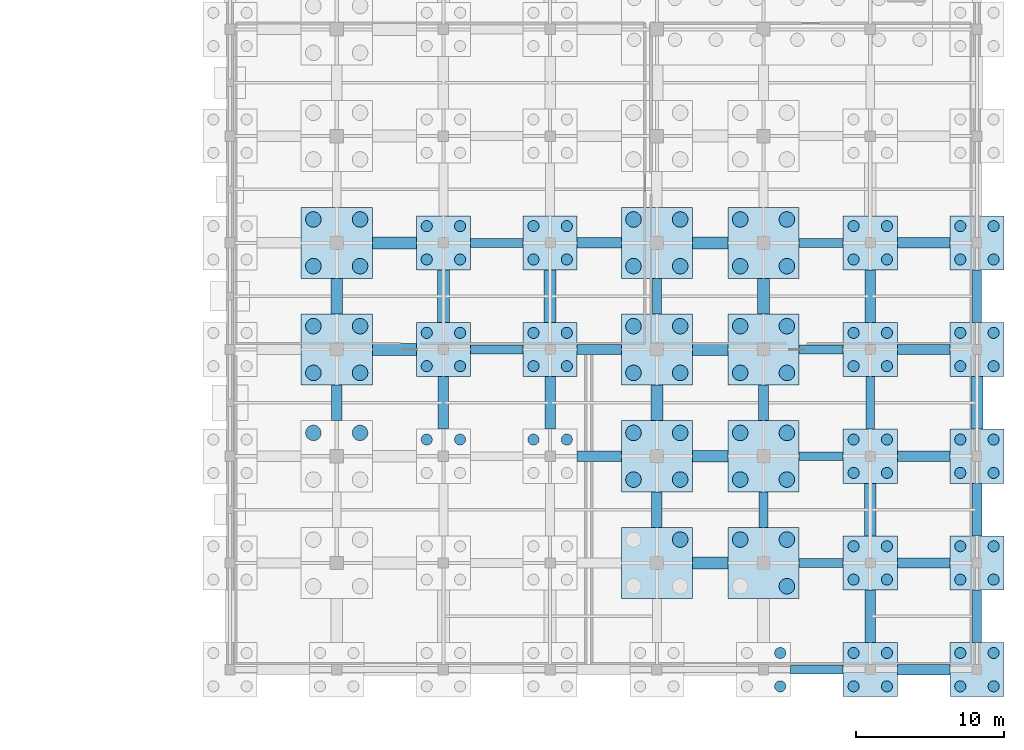
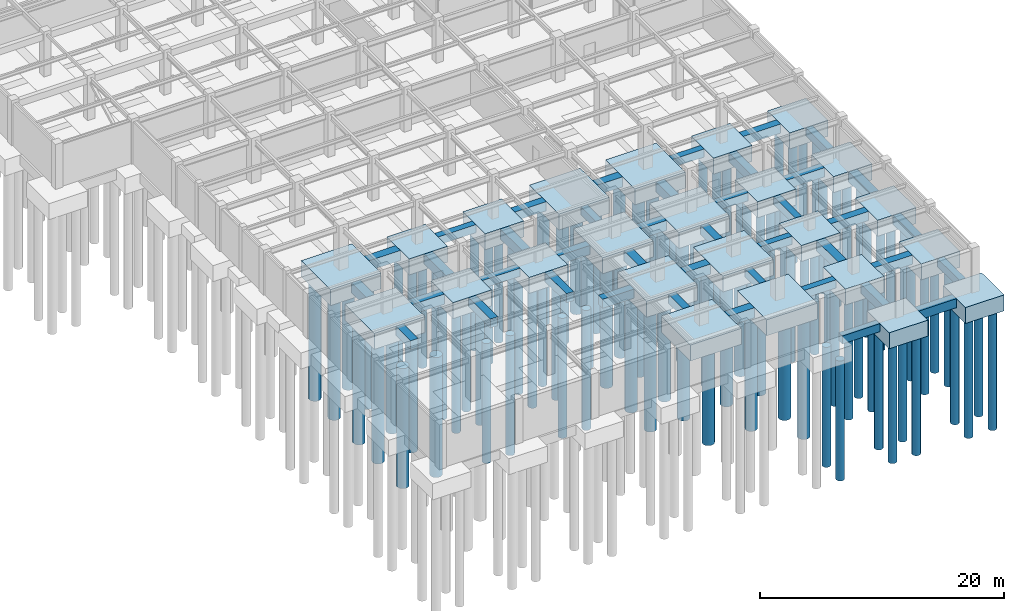
# One storey, part 9 of 48: 100 piles, 65 footings.
"""IFC4 building model written with IfcOpenShell, lengths in metres."""

from ifc_helpers import new_model, si_unit, direction, frame, origin, origin_2d, place, context, subcontext, project, spatial, rectangle, circle, extrude, material, material_profile, profile_set, type_object, element, save


model = new_model("IFC4")

# Units and contexts
model_context = context("Model", 3, precision=1e-05, world=origin(), true_north=direction((0.0, 1.0)))
body_context = subcontext(model_context, "Body", "Model", "MODEL_VIEW")
ifc_project = project(units=[si_unit("LENGTHUNIT", "METRE"), si_unit("AREAUNIT", "SQUARE_METRE"), si_unit("VOLUMEUNIT", "CUBIC_METRE"), si_unit("PLANEANGLEUNIT", "RADIAN"), si_unit("MASSUNIT", "GRAM", prefix="KILO")], contexts=[model_context])

# Site, building, storey
site_placement = place(None, origin())
site = spatial("IfcSite", under=ifc_project, at=site_placement, CompositionType="ELEMENT")
building_placement = place(site_placement, origin())
building = spatial("IfcBuilding", under=site, at=building_placement, Name="Carrowvane Square Congress Hotel", CompositionType="ELEMENT")
storey_placement = place(building_placement, frame((0.0, 0.0, -4.5)))
storey = spatial("IfcBuildingStorey", under=building, at=storey_placement, Name="B01", CompositionType="ELEMENT", Elevation=-4.5)

# Footings
ifc_material_1 = material(Name="Concrete C35/45", Category="concrete")
ifc_material_profile_1 = material_profile(ifc_material_1, rectangle(XDim=0.60009765625, YDim=0.800048828125, at=origin_2d()), Name="RC 600x800")
ifc_profile_set_1 = profile_set([ifc_material_profile_1], Name="Concrete C35/45")
footing_type_1 = type_object("IfcFootingType", Name="FTG-BM-600x800", PredefinedType="FOOTING_BEAM", material=ifc_profile_set_1)
footing_1_placement = place(storey_placement, frame((162.800048828125, 29.39990234375, -0.39990234375), z_axis=(0.0, 1.0, 0.0), x_axis=(-1.0, 0.0, 0.0)))
element("IfcFooting", 1, at=footing_1_placement, inside=storey, type_object=footing_type_1, Name="Ground tie beam 202", PredefinedType="FOOTING_BEAM", context=body_context, shape_type="SweptSolid", body=[
    extrude(rectangle(XDim=0.60009765625, YDim=0.800048828125, at=origin_2d()), origin(), (0.0, 0.0, 1.0), 2.400146484375),
])
footing_2_placement = place(storey_placement, frame((170.0, 15.0, -0.39990234375), z_axis=(0.0, 1.0, 0.0), x_axis=(-1.0, 0.0, 0.0)))
element("IfcFooting", 2, at=footing_2_placement, inside=storey, type_object=footing_type_1, Name="Ground tie beam 213", PredefinedType="FOOTING_BEAM", context=body_context, shape_type="SweptSolid", body=[
    extrude(rectangle(XDim=0.60009765625, YDim=0.800048828125, at=origin_2d()), origin(), (0.0, 0.0, 1.0), 2.39990234375),
])
footing_3_placement = place(storey_placement, frame((177.199951171875, 21.625, -0.39990234375), z_axis=(0.0, 1.0, 0.0), x_axis=(-1.0, 0.0, 0.0)))
element("IfcFooting", 3, at=footing_3_placement, inside=storey, type_object=footing_type_1, Name="Ground tie beam 224", PredefinedType="FOOTING_BEAM", context=body_context, shape_type="SweptSolid", body=[
    extrude(rectangle(XDim=0.60009765625, YDim=0.800048828125, at=origin_2d()), origin(), (0.0, 0.0, 1.0), 3.550048828125),
])
footing_4_placement = place(storey_placement, frame((184.39990234375, 7.22509765625, -0.39990234375), z_axis=(0.0, 1.0, 0.0), x_axis=(-1.0, 0.0, 0.0)))
element("IfcFooting", 4, at=footing_4_placement, inside=storey, type_object=footing_type_1, Name="Ground tie beam 232", PredefinedType="FOOTING_BEAM", context=body_context, shape_type="SweptSolid", body=[
    extrude(rectangle(XDim=0.60009765625, YDim=0.800048828125, at=origin_2d()), origin(), (0.0, 0.0, 1.0), 3.5498046875),
])
for number, where, z_axis, x_axis, name in (
    (5, (184.39990234375, 28.824951171875, -0.39990234375), (0.0, 1.0, 0.0), (-1.0, 0.0, 0.0), "Ground tie beam 235"),
    (6, (171.824951171875, 5.39990234375, -0.39990234375), (1.0, 0.0, 0.0), (0.0, 1.0, 0.0), "Ground tie beam 256"),
):
    element("IfcFooting", number, at=place(storey_placement, frame(where, z_axis=z_axis, x_axis=x_axis)), inside=storey, type_object=footing_type_1, Name=name, PredefinedType="FOOTING_BEAM", context=body_context, shape_type="SweptSolid", body=[
        extrude(rectangle(XDim=0.60009765625, YDim=0.800048828125, at=origin_2d()), origin(), (0.0, 0.0, 1.0), 3.550048828125),
    ])
for number, where, z_axis, x_axis, name in (
    (7, (172.39990234375, 12.60009765625, -0.39990234375), (1.0, 0.0, 0.0), (0.0, 1.0, 0.0), "Ground tie beam 270"),
    (8, (172.39990234375, 19.800048828125, -0.39990234375), (1.0, 0.0, 0.0), (0.0, 1.0, 0.0), "Ground tie beam 284"),
):
    element("IfcFooting", number, at=place(storey_placement, frame(where, z_axis=z_axis, x_axis=x_axis)), inside=storey, type_object=footing_type_1, Name=name, PredefinedType="FOOTING_BEAM", context=body_context, shape_type="SweptSolid", body=[
        extrude(rectangle(XDim=0.60009765625, YDim=0.800048828125, at=origin_2d()), origin(), (0.0, 0.0, 1.0), 2.97509765625),
    ])
footing_5_placement = place(storey_placement, frame((150.22509765625, 27.0, -0.39990234375), z_axis=(1.0, 0.0, 0.0), x_axis=(0.0, 1.0, 0.0)))
element("IfcFooting", 9, at=footing_5_placement, inside=storey, type_object=footing_type_1, Name="Ground tie beam 295", PredefinedType="FOOTING_BEAM", context=body_context, shape_type="SweptSolid", body=[
    extrude(rectangle(XDim=0.60009765625, YDim=0.800048828125, at=origin_2d()), origin(), (0.0, 0.0, 1.0), 3.5498046875),
])
footing_6_placement = place(storey_placement, frame((172.39990234375, 27.0, -0.39990234375), z_axis=(1.0, 0.0, 0.0), x_axis=(0.0, 1.0, 0.0)))
element("IfcFooting", 10, at=footing_6_placement, inside=storey, type_object=footing_type_1, Name="Ground tie beam 298", PredefinedType="FOOTING_BEAM", context=body_context, shape_type="SweptSolid", body=[
    extrude(rectangle(XDim=0.60009765625, YDim=0.800048828125, at=origin_2d()), origin(), (0.0, 0.0, 1.0), 2.97509765625),
])
footing_7_placement = place(storey_placement, frame((150.22509765625, 34.199951171875, -0.39990234375), z_axis=(1.0, 0.0, 0.0), x_axis=(0.0, 1.0, 0.0)))
element("IfcFooting", 11, at=footing_7_placement, inside=storey, type_object=footing_type_1, Name="Ground tie beam 309", PredefinedType="FOOTING_BEAM", context=body_context, shape_type="SweptSolid", body=[
    extrude(rectangle(XDim=0.60009765625, YDim=0.800048828125, at=origin_2d()), origin(), (0.0, 0.0, 1.0), 3.5498046875),
])
footing_8_placement = place(storey_placement, frame((172.39990234375, 34.199951171875, -0.39990234375), z_axis=(1.0, 0.0, 0.0), x_axis=(0.0, 1.0, 0.0)))
element("IfcFooting", 12, at=footing_8_placement, inside=storey, type_object=footing_type_1, Name="Ground tie beam 312", PredefinedType="FOOTING_BEAM", context=body_context, shape_type="SweptSolid", body=[
    extrude(rectangle(XDim=0.60009765625, YDim=0.800048828125, at=origin_2d()), origin(), (0.0, 0.0, 1.0), 2.97509765625),
])
ifc_material_2 = material(Name="Concrete C35/45", Category="concrete")
ifc_material_profile_2 = material_profile(ifc_material_2, rectangle(XDim=0.699951171875, YDim=0.89990234375, at=origin_2d()), Name="RC 700x900")
ifc_profile_set_2 = profile_set([ifc_material_profile_2], Name="Concrete C35/45")
footing_type_2 = type_object("IfcFootingType", Name="FTG-BM-700x900", PredefinedType="FOOTING_BEAM", material=ifc_profile_set_2)
footing_9_placement = place(storey_placement, frame((141.199951171875, 22.199951171875, -0.449951171875), z_axis=(0.0, 1.0, 0.0), x_axis=(-1.0, 0.0, 0.0)))
element("IfcFooting", 13, at=footing_9_placement, inside=storey, type_object=footing_type_2, Name="Ground tie beam 158", PredefinedType="FOOTING_BEAM", context=body_context, shape_type="SweptSolid", body=[
    extrude(rectangle(XDim=0.699951171875, YDim=0.89990234375, at=origin_2d()), origin(), (0.0, 0.0, 1.0), 2.400146484375),
])
for number, where, z_axis, x_axis, name in (
    (14, (148.39990234375, 21.625, -0.449951171875), (0.0, 1.0, 0.0), (-1.0, 0.0, 0.0), "Ground tie beam 172"),
    (15, (155.60009765625, 21.625, -0.449951171875), (0.0, 1.0, 0.0), (-1.0, 0.0, 0.0), "Ground tie beam 186"),
):
    element("IfcFooting", number, at=place(storey_placement, frame(where, z_axis=z_axis, x_axis=x_axis)), inside=storey, type_object=footing_type_2, Name=name, PredefinedType="FOOTING_BEAM", context=body_context, shape_type="SweptSolid", body=[
        extrude(rectangle(XDim=0.699951171875, YDim=0.89990234375, at=origin_2d()), origin(), (0.0, 0.0, 1.0), 3.550048828125),
    ])
footing_10_placement = place(storey_placement, frame((162.800048828125, 15.0, -0.449951171875), z_axis=(0.0, 1.0, 0.0), x_axis=(-1.0, 0.0, 0.0)))
element("IfcFooting", 16, at=footing_10_placement, inside=storey, type_object=footing_type_2, Name="Ground tie beam 200", PredefinedType="FOOTING_BEAM", context=body_context, shape_type="SweptSolid", body=[
    extrude(rectangle(XDim=0.699951171875, YDim=0.89990234375, at=origin_2d()), origin(), (0.0, 0.0, 1.0), 2.39990234375),
])
footing_11_placement = place(storey_placement, frame((170.0, 22.199951171875, -0.449951171875), z_axis=(0.0, 1.0, 0.0), x_axis=(-1.0, 0.0, 0.0)))
element("IfcFooting", 17, at=footing_11_placement, inside=storey, type_object=footing_type_2, Name="Ground tie beam 214", PredefinedType="FOOTING_BEAM", context=body_context, shape_type="SweptSolid", body=[
    extrude(rectangle(XDim=0.699951171875, YDim=0.89990234375, at=origin_2d()), origin(), (0.0, 0.0, 1.0), 2.400146484375),
])
footing_12_placement = place(storey_placement, frame((177.199951171875, 7.22509765625, -0.449951171875), z_axis=(0.0, 1.0, 0.0), x_axis=(-1.0, 0.0, 0.0)))
element("IfcFooting", 18, at=footing_12_placement, inside=storey, type_object=footing_type_2, Name="Ground tie beam 222", PredefinedType="FOOTING_BEAM", context=body_context, shape_type="SweptSolid", body=[
    extrude(rectangle(XDim=0.699951171875, YDim=0.89990234375, at=origin_2d()), origin(), (0.0, 0.0, 1.0), 3.5498046875),
])
for number, where, z_axis, x_axis, name in (
    (19, (177.199951171875, 28.824951171875, -0.449951171875), (0.0, 1.0, 0.0), (-1.0, 0.0, 0.0), "Ground tie beam 225"),
    (20, (184.39990234375, 14.425048828125, -0.449951171875), (0.0, 1.0, 0.0), (-1.0, 0.0, 0.0), "Ground tie beam 233"),
    (21, (179.02490234375, 5.39990234375, -0.449951171875), (1.0, 0.0, 0.0), (0.0, 1.0, 0.0), "Ground tie beam 257"),
    (22, (179.02490234375, 12.60009765625, -0.449951171875), (1.0, 0.0, 0.0), (0.0, 1.0, 0.0), "Ground tie beam 271"),
):
    element("IfcFooting", number, at=place(storey_placement, frame(where, z_axis=z_axis, x_axis=x_axis)), inside=storey, type_object=footing_type_2, Name=name, PredefinedType="FOOTING_BEAM", context=body_context, shape_type="SweptSolid", body=[
        extrude(rectangle(XDim=0.699951171875, YDim=0.89990234375, at=origin_2d()), origin(), (0.0, 0.0, 1.0), 3.550048828125),
    ])
footing_13_placement = place(storey_placement, frame((157.425048828125, 19.800048828125, -0.449951171875), z_axis=(1.0, 0.0, 0.0), x_axis=(0.0, 1.0, 0.0)))
element("IfcFooting", 23, at=footing_13_placement, inside=storey, type_object=footing_type_2, Name="Ground tie beam 282", PredefinedType="FOOTING_BEAM", context=body_context, shape_type="SweptSolid", body=[
    extrude(rectangle(XDim=0.699951171875, YDim=0.89990234375, at=origin_2d()), origin(), (0.0, 0.0, 1.0), 2.974853515625),
])
footing_14_placement = place(storey_placement, frame((179.02490234375, 19.800048828125, -0.449951171875), z_axis=(1.0, 0.0, 0.0), x_axis=(0.0, 1.0, 0.0)))
element("IfcFooting", 24, at=footing_14_placement, inside=storey, type_object=footing_type_2, Name="Ground tie beam 285", PredefinedType="FOOTING_BEAM", context=body_context, shape_type="SweptSolid", body=[
    extrude(rectangle(XDim=0.699951171875, YDim=0.89990234375, at=origin_2d()), origin(), (0.0, 0.0, 1.0), 3.550048828125),
])
footing_15_placement = place(storey_placement, frame((157.425048828125, 27.0, -0.449951171875), z_axis=(1.0, 0.0, 0.0), x_axis=(0.0, 1.0, 0.0)))
element("IfcFooting", 25, at=footing_15_placement, inside=storey, type_object=footing_type_2, Name="Ground tie beam 296", PredefinedType="FOOTING_BEAM", context=body_context, shape_type="SweptSolid", body=[
    extrude(rectangle(XDim=0.699951171875, YDim=0.89990234375, at=origin_2d()), origin(), (0.0, 0.0, 1.0), 2.974853515625),
])
footing_16_placement = place(storey_placement, frame((179.02490234375, 27.0, -0.449951171875), z_axis=(1.0, 0.0, 0.0), x_axis=(0.0, 1.0, 0.0)))
element("IfcFooting", 26, at=footing_16_placement, inside=storey, type_object=footing_type_2, Name="Ground tie beam 299", PredefinedType="FOOTING_BEAM", context=body_context, shape_type="SweptSolid", body=[
    extrude(rectangle(XDim=0.699951171875, YDim=0.89990234375, at=origin_2d()), origin(), (0.0, 0.0, 1.0), 3.550048828125),
])
footing_17_placement = place(storey_placement, frame((157.425048828125, 34.199951171875, -0.449951171875), z_axis=(1.0, 0.0, 0.0), x_axis=(0.0, 1.0, 0.0)))
element("IfcFooting", 27, at=footing_17_placement, inside=storey, type_object=footing_type_2, Name="Ground tie beam 310", PredefinedType="FOOTING_BEAM", context=body_context, shape_type="SweptSolid", body=[
    extrude(rectangle(XDim=0.699951171875, YDim=0.89990234375, at=origin_2d()), origin(), (0.0, 0.0, 1.0), 2.974853515625),
])
footing_18_placement = place(storey_placement, frame((179.02490234375, 34.199951171875, -0.449951171875), z_axis=(1.0, 0.0, 0.0), x_axis=(0.0, 1.0, 0.0)))
element("IfcFooting", 28, at=footing_18_placement, inside=storey, type_object=footing_type_2, Name="Ground tie beam 313", PredefinedType="FOOTING_BEAM", context=body_context, shape_type="SweptSolid", body=[
    extrude(rectangle(XDim=0.699951171875, YDim=0.89990234375, at=origin_2d()), origin(), (0.0, 0.0, 1.0), 3.550048828125),
])
ifc_material_3 = material(Name="Concrete C35/45", Category="concrete")
ifc_material_profile_3 = material_profile(ifc_material_3, rectangle(XDim=0.800048828125, YDim=1.0, at=origin_2d()), Name="RC 800x1000")
ifc_profile_set_3 = profile_set([ifc_material_profile_3], Name="Concrete C35/45")
footing_type_3 = type_object("IfcFootingType", Name="FTG-BM-800x1000", PredefinedType="FOOTING_BEAM", material=ifc_profile_set_3)
footing_19_placement = place(storey_placement, frame((141.199951171875, 29.39990234375, -0.5), z_axis=(0.0, 1.0, 0.0), x_axis=(-1.0, 0.0, 0.0)))
element("IfcFooting", 29, at=footing_19_placement, inside=storey, type_object=footing_type_3, Name="Ground tie beam 159", PredefinedType="FOOTING_BEAM", context=body_context, shape_type="SweptSolid", body=[
    extrude(rectangle(XDim=0.800048828125, YDim=1.0, at=origin_2d()), origin(), (0.0, 0.0, 1.0), 2.400146484375),
])
for number, where, z_axis, x_axis, name in (
    (30, (148.39990234375, 28.824951171875, -0.5), (0.0, 1.0, 0.0), (-1.0, 0.0, 0.0), "Ground tie beam 173"),
    (31, (155.60009765625, 28.824951171875, -0.5), (0.0, 1.0, 0.0), (-1.0, 0.0, 0.0), "Ground tie beam 187"),
):
    element("IfcFooting", number, at=place(storey_placement, frame(where, z_axis=z_axis, x_axis=x_axis)), inside=storey, type_object=footing_type_3, Name=name, PredefinedType="FOOTING_BEAM", context=body_context, shape_type="SweptSolid", body=[
        extrude(rectangle(XDim=0.800048828125, YDim=1.0, at=origin_2d()), origin(), (0.0, 0.0, 1.0), 3.550048828125),
    ])
for number, where, z_axis, x_axis, name in (
    (32, (162.800048828125, 22.199951171875, -0.5), (0.0, 1.0, 0.0), (-1.0, 0.0, 0.0), "Ground tie beam 201"),
    (33, (170.0, 29.39990234375, -0.5), (0.0, 1.0, 0.0), (-1.0, 0.0, 0.0), "Ground tie beam 215"),
):
    element("IfcFooting", number, at=place(storey_placement, frame(where, z_axis=z_axis, x_axis=x_axis)), inside=storey, type_object=footing_type_3, Name=name, PredefinedType="FOOTING_BEAM", context=body_context, shape_type="SweptSolid", body=[
        extrude(rectangle(XDim=0.800048828125, YDim=1.0, at=origin_2d()), origin(), (0.0, 0.0, 1.0), 2.400146484375),
    ])
for number, where, z_axis, x_axis, name in (
    (34, (177.199951171875, 14.425048828125, -0.5), (0.0, 1.0, 0.0), (-1.0, 0.0, 0.0), "Ground tie beam 223"),
    (35, (184.39990234375, 21.625, -0.5), (0.0, 1.0, 0.0), (-1.0, 0.0, 0.0), "Ground tie beam 234"),
):
    element("IfcFooting", number, at=place(storey_placement, frame(where, z_axis=z_axis, x_axis=x_axis)), inside=storey, type_object=footing_type_3, Name=name, PredefinedType="FOOTING_BEAM", context=body_context, shape_type="SweptSolid", body=[
        extrude(rectangle(XDim=0.800048828125, YDim=1.0, at=origin_2d()), origin(), (0.0, 0.0, 1.0), 3.550048828125),
    ])
for number, where, z_axis, x_axis, name in (
    (36, (165.199951171875, 12.60009765625, -0.5), (1.0, 0.0, 0.0), (0.0, 1.0, 0.0), "Ground tie beam 269"),
    (37, (165.199951171875, 19.800048828125, -0.5), (1.0, 0.0, 0.0), (0.0, 1.0, 0.0), "Ground tie beam 283"),
):
    element("IfcFooting", number, at=place(storey_placement, frame(where, z_axis=z_axis, x_axis=x_axis)), inside=storey, type_object=footing_type_3, Name=name, PredefinedType="FOOTING_BEAM", context=body_context, shape_type="SweptSolid", body=[
        extrude(rectangle(XDim=0.800048828125, YDim=1.0, at=origin_2d()), origin(), (0.0, 0.0, 1.0), 2.400146484375),
    ])
footing_20_placement = place(storey_placement, frame((143.60009765625, 27.0, -0.5), z_axis=(1.0, 0.0, 0.0), x_axis=(0.0, 1.0, 0.0)))
element("IfcFooting", 38, at=footing_20_placement, inside=storey, type_object=footing_type_3, Name="Ground tie beam 294", PredefinedType="FOOTING_BEAM", context=body_context, shape_type="SweptSolid", body=[
    extrude(rectangle(XDim=0.800048828125, YDim=1.0, at=origin_2d()), origin(), (0.0, 0.0, 1.0), 2.974853515625),
])
footing_21_placement = place(storey_placement, frame((165.199951171875, 27.0, -0.5), z_axis=(1.0, 0.0, 0.0), x_axis=(0.0, 1.0, 0.0)))
element("IfcFooting", 39, at=footing_21_placement, inside=storey, type_object=footing_type_3, Name="Ground tie beam 297", PredefinedType="FOOTING_BEAM", context=body_context, shape_type="SweptSolid", body=[
    extrude(rectangle(XDim=0.800048828125, YDim=1.0, at=origin_2d()), origin(), (0.0, 0.0, 1.0), 2.400146484375),
])
footing_22_placement = place(storey_placement, frame((143.60009765625, 34.199951171875, -0.5), z_axis=(1.0, 0.0, 0.0), x_axis=(0.0, 1.0, 0.0)))
element("IfcFooting", 40, at=footing_22_placement, inside=storey, type_object=footing_type_3, Name="Ground tie beam 308", PredefinedType="FOOTING_BEAM", context=body_context, shape_type="SweptSolid", body=[
    extrude(rectangle(XDim=0.800048828125, YDim=1.0, at=origin_2d()), origin(), (0.0, 0.0, 1.0), 2.974853515625),
])
footing_23_placement = place(storey_placement, frame((165.199951171875, 34.199951171875, -0.5), z_axis=(1.0, 0.0, 0.0), x_axis=(0.0, 1.0, 0.0)))
element("IfcFooting", 41, at=footing_23_placement, inside=storey, type_object=footing_type_3, Name="Ground tie beam 311", PredefinedType="FOOTING_BEAM", context=body_context, shape_type="SweptSolid", body=[
    extrude(rectangle(XDim=0.800048828125, YDim=1.0, at=origin_2d()), origin(), (0.0, 0.0, 1.0), 2.400146484375),
])
ifc_material_4 = material(Name="Concrete C35/45", Category="concrete")
footing_type_4 = type_object("IfcFootingType", Name="FTG-PC-01", PredefinedType="PILE_CAP", material=ifc_material_4)
for number, where, z_axis, x_axis, name in (
    (42, (162.800048828125, 12.60009765625, -1.60009765625), (0.0, 0.0, 1.0), (1.0, 0.0, 0.0), "B01 PC-1 20"),
    (43, (170.0, 12.60009765625, -1.60009765625), (0.0, 0.0, 1.0), (1.0, 0.0, 0.0), "B01 PC-1 21"),
    (44, (162.800048828125, 19.800048828125, -1.60009765625), (0.0, 0.0, 1.0), (1.0, 0.0, 0.0), "B01 PC-1 36"),
    (45, (170.0, 19.800048828125, -1.60009765625), (0.0, 0.0, 1.0), (1.0, 0.0, 0.0), "B01 PC-1 37"),
    (46, (141.199951171875, 27.0, -1.60009765625), (0.0, 0.0, 1.0), (1.0, 0.0, 0.0), "B01 PC-1 51"),
    (47, (162.800048828125, 27.0, -1.60009765625), (0.0, 0.0, 1.0), (1.0, 0.0, 0.0), "B01 PC-1 52"),
    (48, (170.0, 27.0, -1.60009765625), (0.0, 0.0, 1.0), (1.0, 0.0, 0.0), "B01 PC-1 53"),
    (49, (141.199951171875, 34.199951171875, -1.60009765625), (0.0, 0.0, 1.0), (1.0, 0.0, 0.0), "B01 PC-1 67"),
    (50, (162.800048828125, 34.199951171875, -1.60009765625), (0.0, 0.0, 1.0), (1.0, 0.0, 0.0), "B01 PC-1 68"),
    (51, (170.0, 34.199951171875, -1.60009765625), (0.0, 0.0, 1.0), (1.0, 0.0, 0.0), "B01 PC-1 69"),
):
    element("IfcFooting", number, at=place(storey_placement, frame(where, z_axis=z_axis, x_axis=x_axis)), inside=storey, type_object=footing_type_4, Name=name, PredefinedType="PILE_CAP", context=body_context, shape_type="SweptSolid", body=[
        extrude(rectangle(XDim=4.800048828125, YDim=4.800048828125, at=origin_2d()), origin(), (0.0, 0.0, 1.0), 1.60009765625),
    ])
ifc_material_5 = material(Name="Concrete C35/45", Category="concrete")
footing_type_5 = type_object("IfcFootingType", Name="FTG-PC-02", PredefinedType="PILE_CAP", material=ifc_material_5)
for number, where, z_axis, x_axis, name in (
    (52, (177.199951171875, 5.39990234375, -1.60009765625), (0.0, 0.0, 1.0), (1.0, 0.0, 0.0), "B01 PC-2 15"),
    (53, (184.39990234375, 5.39990234375, -1.60009765625), (0.0, 0.0, 1.0), (1.0, 0.0, 0.0), "B01 PC-2 16"),
    (54, (177.199951171875, 12.60009765625, -1.60009765625), (0.0, 0.0, 1.0), (1.0, 0.0, 0.0), "B01 PC-2 31"),
    (55, (184.39990234375, 12.60009765625, -1.60009765625), (0.0, 0.0, 1.0), (1.0, 0.0, 0.0), "B01 PC-2 32"),
    (56, (177.199951171875, 19.800048828125, -1.60009765625), (0.0, 0.0, 1.0), (1.0, 0.0, 0.0), "B01 PC-2 47"),
    (57, (184.39990234375, 19.800048828125, -1.60009765625), (0.0, 0.0, 1.0), (1.0, 0.0, 0.0), "B01 PC-2 48"),
    (58, (148.39990234375, 27.0, -1.60009765625), (0.0, 0.0, 1.0), (1.0, 0.0, 0.0), "B01 PC-2 61"),
    (59, (155.60009765625, 27.0, -1.60009765625), (0.0, 0.0, 1.0), (1.0, 0.0, 0.0), "B01 PC-2 62"),
    (60, (177.199951171875, 27.0, -1.60009765625), (0.0, 0.0, 1.0), (1.0, 0.0, 0.0), "B01 PC-2 63"),
    (61, (184.39990234375, 27.0, -1.60009765625), (0.0, 0.0, 1.0), (1.0, 0.0, 0.0), "B01 PC-2 64"),
    (62, (148.39990234375, 34.199951171875, -1.60009765625), (0.0, 0.0, 1.0), (1.0, 0.0, 0.0), "B01 PC-2 77"),
    (63, (155.60009765625, 34.199951171875, -1.60009765625), (0.0, 0.0, 1.0), (1.0, 0.0, 0.0), "B01 PC-2 78"),
    (64, (177.199951171875, 34.199951171875, -1.60009765625), (0.0, 0.0, 1.0), (1.0, 0.0, 0.0), "B01 PC-2 79"),
    (65, (184.39990234375, 34.199951171875, -1.60009765625), (0.0, 0.0, 1.0), (1.0, 0.0, 0.0), "B01 PC-2 80"),
):
    element("IfcFooting", number, at=place(storey_placement, frame(where, z_axis=z_axis, x_axis=x_axis)), inside=storey, type_object=footing_type_5, Name=name, PredefinedType="PILE_CAP", context=body_context, shape_type="SweptSolid", body=[
        extrude(rectangle(XDim=3.64990234375, YDim=3.64990234375, at=origin_2d()), origin(), (0.0, 0.0, 1.0), 1.60009765625),
    ])

# Piles
ifc_material_6 = material(Name="Concrete C35/45", Category="concrete")
ifc_material_profile_4 = material_profile(ifc_material_6, circle(Radius=0.52490234375, at=origin_2d()), Name="PILE D1050")
ifc_profile_set_4 = profile_set([ifc_material_profile_4], Name="Concrete C35/45")
pile_type_1 = type_object("IfcPileType", Name="PILE-B-1050", PredefinedType="BORED", material=ifc_profile_set_4)
for number, where, z_axis, x_axis, name in (
    (66, (164.375, 14.175048828125, -1.5), (0.0, 0.0, -1.0), (1.0, 0.0, 0.0), "Bored pile P-3-0080"),
    (67, (168.425048828125, 14.175048828125, -1.5), (0.0, 0.0, -1.0), (1.0, 0.0, 0.0), "Bored pile P-3-0082"),
    (68, (171.574951171875, 11.02490234375, -1.5), (0.0, 0.0, -1.0), (1.0, 0.0, 0.0), "Bored pile P-3-0083"),
    (69, (171.574951171875, 14.175048828125, -1.5), (0.0, 0.0, -1.0), (1.0, 0.0, 0.0), "Bored pile P-3-0084"),
    (70, (139.625, 21.375, -1.5), (0.0, 0.0, -1.0), (1.0, 0.0, 0.0), "Bored pile P-3-0138"),
    (71, (142.77490234375, 21.375, -1.5), (0.0, 0.0, -1.0), (1.0, 0.0, 0.0), "Bored pile P-3-0140"),
    (72, (161.22509765625, 18.22509765625, -1.5), (0.0, 0.0, -1.0), (1.0, 0.0, 0.0), "Bored pile P-3-0141"),
    (73, (161.22509765625, 21.375, -1.5), (0.0, 0.0, -1.0), (1.0, 0.0, 0.0), "Bored pile P-3-0142"),
    (74, (164.375, 18.22509765625, -1.5), (0.0, 0.0, -1.0), (1.0, 0.0, 0.0), "Bored pile P-3-0143"),
    (75, (164.375, 21.375, -1.5), (0.0, 0.0, -1.0), (1.0, 0.0, 0.0), "Bored pile P-3-0144"),
    (76, (168.425048828125, 18.22509765625, -1.5), (0.0, 0.0, -1.0), (1.0, 0.0, 0.0), "Bored pile P-3-0145"),
    (77, (168.425048828125, 21.375, -1.5), (0.0, 0.0, -1.0), (1.0, 0.0, 0.0), "Bored pile P-3-0146"),
    (78, (171.574951171875, 18.22509765625, -1.5), (0.0, 0.0, -1.0), (1.0, 0.0, 0.0), "Bored pile P-3-0147"),
    (79, (171.574951171875, 21.375, -1.5), (0.0, 0.0, -1.0), (1.0, 0.0, 0.0), "Bored pile P-3-0148"),
    (80, (139.625, 25.425048828125, -1.5), (0.0, 0.0, -1.0), (1.0, 0.0, 0.0), "Bored pile P-3-0201"),
    (81, (139.625, 28.574951171875, -1.5), (0.0, 0.0, -1.0), (1.0, 0.0, 0.0), "Bored pile P-3-0202"),
    (82, (142.77490234375, 25.425048828125, -1.5), (0.0, 0.0, -1.0), (1.0, 0.0, 0.0), "Bored pile P-3-0203"),
    (83, (142.77490234375, 28.574951171875, -1.5), (0.0, 0.0, -1.0), (1.0, 0.0, 0.0), "Bored pile P-3-0204"),
    (84, (161.22509765625, 25.425048828125, -1.5), (0.0, 0.0, -1.0), (1.0, 0.0, 0.0), "Bored pile P-3-0205"),
    (85, (161.22509765625, 28.574951171875, -1.5), (0.0, 0.0, -1.0), (1.0, 0.0, 0.0), "Bored pile P-3-0206"),
    (86, (164.375, 25.425048828125, -1.5), (0.0, 0.0, -1.0), (1.0, 0.0, 0.0), "Bored pile P-3-0207"),
    (87, (164.375, 28.574951171875, -1.5), (0.0, 0.0, -1.0), (1.0, 0.0, 0.0), "Bored pile P-3-0208"),
    (88, (168.425048828125, 25.425048828125, -1.5), (0.0, 0.0, -1.0), (1.0, 0.0, 0.0), "Bored pile P-3-0209"),
    (89, (168.425048828125, 28.574951171875, -1.5), (0.0, 0.0, -1.0), (1.0, 0.0, 0.0), "Bored pile P-3-0210"),
    (90, (171.574951171875, 25.425048828125, -1.5), (0.0, 0.0, -1.0), (1.0, 0.0, 0.0), "Bored pile P-3-0211"),
    (91, (171.574951171875, 28.574951171875, -1.5), (0.0, 0.0, -1.0), (1.0, 0.0, 0.0), "Bored pile P-3-0212"),
    (92, (139.625, 32.625, -1.5), (0.0, 0.0, -1.0), (1.0, 0.0, 0.0), "Bored pile P-3-0265"),
    (93, (139.625, 35.77490234375, -1.5), (0.0, 0.0, -1.0), (1.0, 0.0, 0.0), "Bored pile P-3-0266"),
    (94, (142.77490234375, 32.625, -1.5), (0.0, 0.0, -1.0), (1.0, 0.0, 0.0), "Bored pile P-3-0267"),
    (95, (142.77490234375, 35.77490234375, -1.5), (0.0, 0.0, -1.0), (1.0, 0.0, 0.0), "Bored pile P-3-0268"),
    (96, (161.22509765625, 32.625, -1.5), (0.0, 0.0, -1.0), (1.0, 0.0, 0.0), "Bored pile P-3-0269"),
    (97, (161.22509765625, 35.77490234375, -1.5), (0.0, 0.0, -1.0), (1.0, 0.0, 0.0), "Bored pile P-3-0270"),
    (98, (164.375, 32.625, -1.5), (0.0, 0.0, -1.0), (1.0, 0.0, 0.0), "Bored pile P-3-0271"),
    (99, (164.375, 35.77490234375, -1.5), (0.0, 0.0, -1.0), (1.0, 0.0, 0.0), "Bored pile P-3-0272"),
    (100, (168.425048828125, 32.625, -1.5), (0.0, 0.0, -1.0), (1.0, 0.0, 0.0), "Bored pile P-3-0273"),
    (101, (168.425048828125, 35.77490234375, -1.5), (0.0, 0.0, -1.0), (1.0, 0.0, 0.0), "Bored pile P-3-0274"),
    (102, (171.574951171875, 32.625, -1.5), (0.0, 0.0, -1.0), (1.0, 0.0, 0.0), "Bored pile P-3-0275"),
    (103, (171.574951171875, 35.77490234375, -1.5), (0.0, 0.0, -1.0), (1.0, 0.0, 0.0), "Bored pile P-3-0276"),
):
    element("IfcPile", number, at=place(storey_placement, frame(where, z_axis=z_axis, x_axis=x_axis)), inside=storey, type_object=pile_type_1, Name=name, PredefinedType="BORED", context=body_context, shape_type="SweptSolid", body=[
        extrude(circle(Radius=0.52490234375, at=origin_2d()), origin(), (0.0, 0.0, 1.0), 12.0),
    ])
ifc_material_7 = material(Name="Concrete C35/45", Category="concrete")
ifc_material_profile_5 = material_profile(ifc_material_7, circle(Radius=0.375, at=origin_2d()), Name="PILE D750")
ifc_profile_set_5 = profile_set([ifc_material_profile_5], Name="Concrete C35/45")
pile_type_2 = type_object("IfcPileType", Name="PILE-B-750", PredefinedType="BORED", material=ifc_profile_set_5)
for number, where, z_axis, x_axis, name in (
    (104, (171.125, 4.27490234375, -1.5), (0.0, 0.0, -1.0), (1.0, 0.0, 0.0), "Bored pile P-1-0055"),
    (105, (171.125, 6.52490234375, -1.5), (0.0, 0.0, -1.0), (1.0, 0.0, 0.0), "Bored pile P-1-0056"),
    (106, (176.074951171875, 4.27490234375, -1.5), (0.0, 0.0, -1.0), (1.0, 0.0, 0.0), "Bored pile P-1-0057"),
    (107, (176.074951171875, 6.52490234375, -1.5), (0.0, 0.0, -1.0), (1.0, 0.0, 0.0), "Bored pile P-1-0058"),
    (108, (178.324951171875, 4.27490234375, -1.5), (0.0, 0.0, -1.0), (1.0, 0.0, 0.0), "Bored pile P-1-0059"),
    (109, (178.324951171875, 6.52490234375, -1.5), (0.0, 0.0, -1.0), (1.0, 0.0, 0.0), "Bored pile P-1-0060"),
    (110, (183.27490234375, 4.27490234375, -1.5), (0.0, 0.0, -1.0), (1.0, 0.0, 0.0), "Bored pile P-1-0061"),
    (111, (183.27490234375, 6.52490234375, -1.5), (0.0, 0.0, -1.0), (1.0, 0.0, 0.0), "Bored pile P-1-0062"),
    (112, (185.52490234375, 4.27490234375, -1.5), (0.0, 0.0, -1.0), (1.0, 0.0, 0.0), "Bored pile P-1-0063"),
    (113, (185.52490234375, 6.52490234375, -1.5), (0.0, 0.0, -1.0), (1.0, 0.0, 0.0), "Bored pile P-1-0064"),
    (114, (176.074951171875, 11.47509765625, -1.5), (0.0, 0.0, -1.0), (1.0, 0.0, 0.0), "Bored pile P-1-0121"),
    (115, (176.074951171875, 13.72509765625, -1.5), (0.0, 0.0, -1.0), (1.0, 0.0, 0.0), "Bored pile P-1-0122"),
    (116, (178.324951171875, 11.47509765625, -1.5), (0.0, 0.0, -1.0), (1.0, 0.0, 0.0), "Bored pile P-1-0123"),
    (117, (178.324951171875, 13.72509765625, -1.5), (0.0, 0.0, -1.0), (1.0, 0.0, 0.0), "Bored pile P-1-0124"),
    (118, (183.27490234375, 11.47509765625, -1.5), (0.0, 0.0, -1.0), (1.0, 0.0, 0.0), "Bored pile P-1-0125"),
    (119, (183.27490234375, 13.72509765625, -1.5), (0.0, 0.0, -1.0), (1.0, 0.0, 0.0), "Bored pile P-1-0126"),
    (120, (185.52490234375, 11.47509765625, -1.5), (0.0, 0.0, -1.0), (1.0, 0.0, 0.0), "Bored pile P-1-0127"),
    (121, (185.52490234375, 13.72509765625, -1.5), (0.0, 0.0, -1.0), (1.0, 0.0, 0.0), "Bored pile P-1-0128"),
    (122, (147.27490234375, 20.925048828125, -1.5), (0.0, 0.0, -1.0), (1.0, 0.0, 0.0), "Bored pile P-1-0178"),
    (123, (149.52490234375, 20.925048828125, -1.5), (0.0, 0.0, -1.0), (1.0, 0.0, 0.0), "Bored pile P-1-0180"),
    (124, (154.47509765625, 20.925048828125, -1.5), (0.0, 0.0, -1.0), (1.0, 0.0, 0.0), "Bored pile P-1-0182"),
    (125, (156.72509765625, 20.925048828125, -1.5), (0.0, 0.0, -1.0), (1.0, 0.0, 0.0), "Bored pile P-1-0184"),
    (126, (176.074951171875, 18.675048828125, -1.5), (0.0, 0.0, -1.0), (1.0, 0.0, 0.0), "Bored pile P-1-0185"),
    (127, (176.074951171875, 20.925048828125, -1.5), (0.0, 0.0, -1.0), (1.0, 0.0, 0.0), "Bored pile P-1-0186"),
    (128, (178.324951171875, 18.675048828125, -1.5), (0.0, 0.0, -1.0), (1.0, 0.0, 0.0), "Bored pile P-1-0187"),
    (129, (178.324951171875, 20.925048828125, -1.5), (0.0, 0.0, -1.0), (1.0, 0.0, 0.0), "Bored pile P-1-0188"),
    (130, (183.27490234375, 18.675048828125, -1.5), (0.0, 0.0, -1.0), (1.0, 0.0, 0.0), "Bored pile P-1-0189"),
    (131, (183.27490234375, 20.925048828125, -1.5), (0.0, 0.0, -1.0), (1.0, 0.0, 0.0), "Bored pile P-1-0190"),
    (132, (185.52490234375, 18.675048828125, -1.5), (0.0, 0.0, -1.0), (1.0, 0.0, 0.0), "Bored pile P-1-0191"),
    (133, (185.52490234375, 20.925048828125, -1.5), (0.0, 0.0, -1.0), (1.0, 0.0, 0.0), "Bored pile P-1-0192"),
    (134, (147.27490234375, 25.875, -1.5), (0.0, 0.0, -1.0), (1.0, 0.0, 0.0), "Bored pile P-1-0241"),
    (135, (147.27490234375, 28.125, -1.5), (0.0, 0.0, -1.0), (1.0, 0.0, 0.0), "Bored pile P-1-0242"),
    (136, (149.52490234375, 25.875, -1.5), (0.0, 0.0, -1.0), (1.0, 0.0, 0.0), "Bored pile P-1-0243"),
    (137, (149.52490234375, 28.125, -1.5), (0.0, 0.0, -1.0), (1.0, 0.0, 0.0), "Bored pile P-1-0244"),
    (138, (154.47509765625, 25.875, -1.5), (0.0, 0.0, -1.0), (1.0, 0.0, 0.0), "Bored pile P-1-0245"),
    (139, (154.47509765625, 28.125, -1.5), (0.0, 0.0, -1.0), (1.0, 0.0, 0.0), "Bored pile P-1-0246"),
    (140, (156.72509765625, 25.875, -1.5), (0.0, 0.0, -1.0), (1.0, 0.0, 0.0), "Bored pile P-1-0247"),
    (141, (156.72509765625, 28.125, -1.5), (0.0, 0.0, -1.0), (1.0, 0.0, 0.0), "Bored pile P-1-0248"),
    (142, (176.074951171875, 25.875, -1.5), (0.0, 0.0, -1.0), (1.0, 0.0, 0.0), "Bored pile P-1-0249"),
    (143, (176.074951171875, 28.125, -1.5), (0.0, 0.0, -1.0), (1.0, 0.0, 0.0), "Bored pile P-1-0250"),
    (144, (178.324951171875, 25.875, -1.5), (0.0, 0.0, -1.0), (1.0, 0.0, 0.0), "Bored pile P-1-0251"),
    (145, (178.324951171875, 28.125, -1.5), (0.0, 0.0, -1.0), (1.0, 0.0, 0.0), "Bored pile P-1-0252"),
    (146, (183.27490234375, 25.875, -1.5), (0.0, 0.0, -1.0), (1.0, 0.0, 0.0), "Bored pile P-1-0253"),
    (147, (183.27490234375, 28.125, -1.5), (0.0, 0.0, -1.0), (1.0, 0.0, 0.0), "Bored pile P-1-0254"),
    (148, (185.52490234375, 25.875, -1.5), (0.0, 0.0, -1.0), (1.0, 0.0, 0.0), "Bored pile P-1-0255"),
    (149, (185.52490234375, 28.125, -1.5), (0.0, 0.0, -1.0), (1.0, 0.0, 0.0), "Bored pile P-1-0256"),
    (150, (147.27490234375, 33.074951171875, -1.5), (0.0, 0.0, -1.0), (1.0, 0.0, 0.0), "Bored pile P-1-0305"),
    (151, (147.27490234375, 35.324951171875, -1.5), (0.0, 0.0, -1.0), (1.0, 0.0, 0.0), "Bored pile P-1-0306"),
    (152, (149.52490234375, 33.074951171875, -1.5), (0.0, 0.0, -1.0), (1.0, 0.0, 0.0), "Bored pile P-1-0307"),
    (153, (149.52490234375, 35.324951171875, -1.5), (0.0, 0.0, -1.0), (1.0, 0.0, 0.0), "Bored pile P-1-0308"),
    (154, (154.47509765625, 33.074951171875, -1.5), (0.0, 0.0, -1.0), (1.0, 0.0, 0.0), "Bored pile P-1-0309"),
    (155, (154.47509765625, 35.324951171875, -1.5), (0.0, 0.0, -1.0), (1.0, 0.0, 0.0), "Bored pile P-1-0310"),
    (156, (156.72509765625, 33.074951171875, -1.5), (0.0, 0.0, -1.0), (1.0, 0.0, 0.0), "Bored pile P-1-0311"),
    (157, (156.72509765625, 35.324951171875, -1.5), (0.0, 0.0, -1.0), (1.0, 0.0, 0.0), "Bored pile P-1-0312"),
    (158, (176.074951171875, 33.074951171875, -1.5), (0.0, 0.0, -1.0), (1.0, 0.0, 0.0), "Bored pile P-1-0313"),
    (159, (176.074951171875, 35.324951171875, -1.5), (0.0, 0.0, -1.0), (1.0, 0.0, 0.0), "Bored pile P-1-0314"),
    (160, (178.324951171875, 33.074951171875, -1.5), (0.0, 0.0, -1.0), (1.0, 0.0, 0.0), "Bored pile P-1-0315"),
    (161, (178.324951171875, 35.324951171875, -1.5), (0.0, 0.0, -1.0), (1.0, 0.0, 0.0), "Bored pile P-1-0316"),
    (162, (183.27490234375, 33.074951171875, -1.5), (0.0, 0.0, -1.0), (1.0, 0.0, 0.0), "Bored pile P-1-0317"),
    (163, (183.27490234375, 35.324951171875, -1.5), (0.0, 0.0, -1.0), (1.0, 0.0, 0.0), "Bored pile P-1-0318"),
    (164, (185.52490234375, 33.074951171875, -1.5), (0.0, 0.0, -1.0), (1.0, 0.0, 0.0), "Bored pile P-1-0319"),
    (165, (185.52490234375, 35.324951171875, -1.5), (0.0, 0.0, -1.0), (1.0, 0.0, 0.0), "Bored pile P-1-0320"),
):
    element("IfcPile", number, at=place(storey_placement, frame(where, z_axis=z_axis, x_axis=x_axis)), inside=storey, type_object=pile_type_2, Name=name, PredefinedType="BORED", context=body_context, shape_type="SweptSolid", body=[
        extrude(circle(Radius=0.375, at=origin_2d()), origin(), (0.0, 0.0, 1.0), 12.0),
    ])

save(model, "model.ifc")
